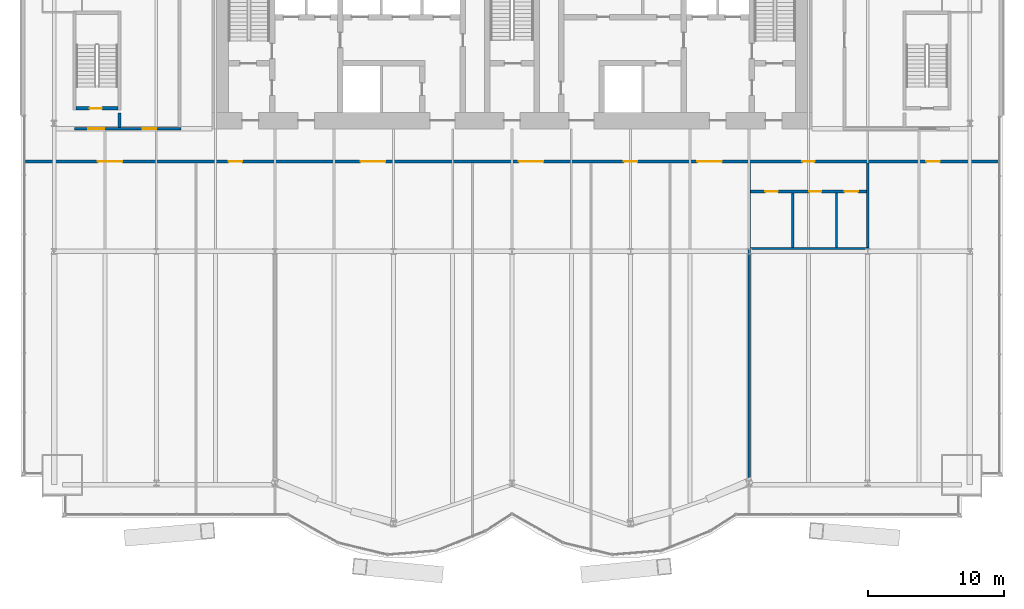
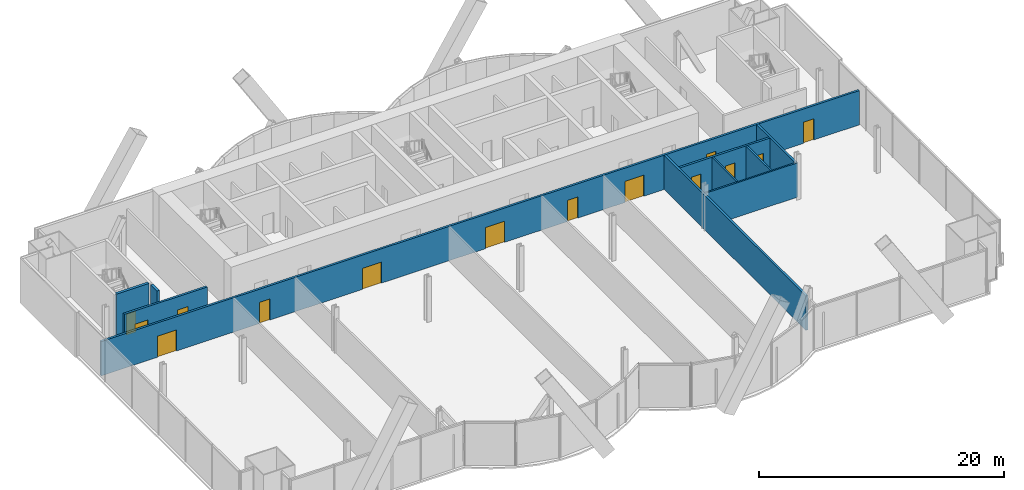
# One storey, part 16 of 23: 14 doors, 10 walls, 14 openings.
"""IFC4 building model written with IfcOpenShell, lengths in metres."""

from ifc_helpers import new_model, si_unit, direction, frame, frame_2d, origin, place, context, subcontext, project, spatial, rectangle, extrude, material, layer, layer_set, type_object, element, fill, save


model = new_model("IFC4")

# Units and contexts
model_context = context("Model", 3, precision=1e-05, world=origin(), true_north=direction((0.0, 1.0)))
body_context = subcontext(model_context, "Body", "Model", "MODEL_VIEW")
ifc_project = project(units=[si_unit("LENGTHUNIT", "METRE"), si_unit("AREAUNIT", "SQUARE_METRE"), si_unit("VOLUMEUNIT", "CUBIC_METRE"), si_unit("PLANEANGLEUNIT", "RADIAN"), si_unit("MASSUNIT", "GRAM", prefix="KILO")], contexts=[model_context])

# Site, building, storey
site_placement = place(None, origin())
site = spatial("IfcSite", under=ifc_project, at=site_placement, CompositionType="ELEMENT")
building_placement = place(site_placement, origin())
building = spatial("IfcBuilding", under=site, at=building_placement, Name="Bicima Exchange Tower", CompositionType="ELEMENT")
storey_placement = place(building_placement, frame((0.0, 0.0, 44.0)))
storey = spatial("IfcBuildingStorey", under=building, at=storey_placement, Name="L08", CompositionType="ELEMENT", Elevation=44.0)

# Wall, openings, doors
ifc_material_1 = material(Name="Gypsum board partition")
ifc_layer_1 = layer(ifc_material_1, 0.199951171875)
ifc_layer_set_1 = layer_set([ifc_layer_1], Name="Gypsum board partition")
wall_type_1 = type_object("IfcWallType", Name="Fire-rated gypsum partition 200 EI60", PredefinedType="PARTITIONING", material=ifc_layer_set_1)
wall_1_placement = place(storey_placement, frame((17.5, -17.60009765625, 0.0), z_axis=(0.0, 0.0, 1.0), x_axis=(1.0, 0.0, 0.0)))
wall_1 = element("IfcWall", 1, at=wall_1_placement, inside=storey, type_object=wall_type_1, Name="partition wall 2", PredefinedType="PARTITIONING", context=body_context, shape_type="SweptSolid", body=[
    extrude(rectangle(XDim=8.5, YDim=0.199951171875, at=frame_2d((4.25, 0.0))), origin(), (0.0, 0.0, 1.0), 3.418212890625),
])
opening_1_placement = place(wall_1_placement, frame((1.10009765625, 0.0, 0.0)))
opening_1 = element("IfcOpeningElement", 2, at=opening_1_placement, cuts=wall_1, Name="Opening L08-014", PredefinedType="OPENING", context=body_context, shape_type="SweptSolid", body=[
    extrude(rectangle(XDim=0.89990234375, YDim=2.10009765625, at=frame_2d((0.449951171875, 1.050048828125))), frame((0.0, 0.11181640625, 0.0), z_axis=(0.0, -1.0, 0.0), x_axis=(1.0, 0.0, 0.0)), (0.0, 0.0, 1.0), 0.223876953125),
])
opening_2_placement = place(wall_1_placement, frame((4.300048828125, 0.0, 0.0)))
opening_2 = element("IfcOpeningElement", 3, at=opening_2_placement, cuts=wall_1, Name="Opening L08-015", PredefinedType="OPENING", context=body_context, shape_type="SweptSolid", body=[
    extrude(rectangle(XDim=0.89990234375, YDim=2.10009765625, at=frame_2d((0.449951171875, 1.050048828125))), frame((0.0, 0.11181640625, 0.0), z_axis=(0.0, -1.0, 0.0), x_axis=(1.0, 0.0, 0.0)), (0.0, 0.0, 1.0), 0.223876953125),
])
opening_3_placement = place(wall_1_placement, frame((6.89990234375, 0.0, 0.0)))
opening_3 = element("IfcOpeningElement", 4, at=opening_3_placement, cuts=wall_1, Name="Opening L08-016", PredefinedType="OPENING", context=body_context, shape_type="SweptSolid", body=[
    extrude(rectangle(XDim=1.0, YDim=2.10009765625, at=frame_2d((0.5, 1.050048828125))), frame((0.0, 0.11181640625, 0.0), z_axis=(0.0, -1.0, 0.0), x_axis=(1.0, 0.0, 0.0)), (0.0, 0.0, 1.0), 0.223876953125),
])
ifc_material_2 = material(Name="Steel fire door leaf", Category="steel")
door_type_1 = type_object("IfcDoorType", Name="Door 1000 swing FD30S", OperationType="SINGLE_SWING_LEFT", PredefinedType="DOOR", material=ifc_material_2)
door_1_placement = place(opening_3_placement, frame((1.0, 0.0, 0.0), z_axis=(0.0, 0.0, 1.0), x_axis=(-1.0, 0.0, 0.0)))
door_1 = element("IfcDoor", 5, at=door_1_placement, inside=storey, type_object=door_type_1, Name="Door", OperationType="SINGLE_SWING_LEFT", OverallHeight=2.10009765625, OverallWidth=1.0, PredefinedType="DOOR", context=body_context, shape_type="SweptSolid", body=[
    extrude(rectangle(XDim=1.0, YDim=2.10009765625, at=frame_2d((0.5, 1.050048828125))), frame((0.0, 0.02490234375, 0.0), z_axis=(0.0, -1.0, 0.0), x_axis=(1.0, 0.0, 0.0)), (0.0, 0.0, 1.0), 0.050048828125),
])
fill(opening_3, door_1)
door_type_2 = type_object("IfcDoorType", Name="Door 900 swing FD30S", OperationType="SINGLE_SWING_LEFT", PredefinedType="DOOR", material=ifc_material_2)
door_2_placement = place(opening_1_placement, frame((0.89990234375, 0.0, 0.0), z_axis=(0.0, 0.0, 1.0), x_axis=(-1.0, 0.0, 0.0)))
door_2 = element("IfcDoor", 6, at=door_2_placement, inside=storey, type_object=door_type_2, Name="Door", OperationType="SINGLE_SWING_RIGHT", OverallHeight=2.10009765625, OverallWidth=0.89990234375, PredefinedType="DOOR", context=body_context, shape_type="SweptSolid", body=[
    extrude(rectangle(XDim=0.89990234375, YDim=2.10009765625, at=frame_2d((0.449951171875, 1.050048828125))), frame((0.0, 0.02490234375, 0.0), z_axis=(0.0, -1.0, 0.0), x_axis=(1.0, 0.0, 0.0)), (0.0, 0.0, 1.0), 0.050048828125),
])
fill(opening_1, door_2)
door_3_placement = place(opening_2_placement, frame((0.89990234375, 0.0, 0.0), z_axis=(0.0, 0.0, 1.0), x_axis=(-1.0, 0.0, 0.0)))
door_3 = element("IfcDoor", 7, at=door_3_placement, inside=storey, type_object=door_type_2, Name="Door", OperationType="SINGLE_SWING_RIGHT", OverallHeight=2.10009765625, OverallWidth=0.89990234375, PredefinedType="DOOR", context=body_context, shape_type="SweptSolid", body=[
    extrude(rectangle(XDim=0.89990234375, YDim=2.10009765625, at=frame_2d((0.449951171875, 1.050048828125))), frame((0.0, 0.02490234375, 0.0), z_axis=(0.0, -1.0, 0.0), x_axis=(1.0, 0.0, 0.0)), (0.0, 0.0, 1.0), 0.050048828125),
])
fill(opening_2, door_3)

wall_2_placement = place(storey_placement, frame((-35.679931640625, -15.39990234375, 0.0), z_axis=(0.0, 0.0, 1.0), x_axis=(1.0, 0.0, 0.0)))
wall_2 = element("IfcWall", 8, at=wall_2_placement, inside=storey, type_object=wall_type_1, Name="partition wall 3", PredefinedType="PARTITIONING", context=body_context, shape_type="SweptSolid", body=[
    extrude(rectangle(XDim=71.35986328125, YDim=0.199951171875, at=frame_2d((35.679931640625, 0.0))), origin(), (0.0, 0.0, 1.0), 3.418212890625),
])
opening_4_placement = place(wall_2_placement, frame((5.300048828125, 0.0, 0.0)))
opening_4 = element("IfcOpeningElement", 9, at=opening_4_placement, cuts=wall_2, Name="Opening L08-007", PredefinedType="OPENING", context=body_context, shape_type="SweptSolid", body=[
    extrude(rectangle(XDim=1.800048828125, YDim=2.10009765625, at=frame_2d((0.89990234375, 1.050048828125))), frame((0.0, 0.11181640625, 0.0), z_axis=(0.0, -1.0, 0.0), x_axis=(1.0, 0.0, 0.0)), (0.0, 0.0, 1.0), 0.223876953125),
])
opening_5_placement = place(wall_2_placement, frame((14.8798828125, 0.0, 0.0)))
opening_5 = element("IfcOpeningElement", 10, at=opening_5_placement, cuts=wall_2, Name="Opening L08-008", PredefinedType="OPENING", context=body_context, shape_type="SweptSolid", body=[
    extrude(rectangle(XDim=1.0, YDim=2.10009765625, at=frame_2d((0.5, 1.050048828125))), frame((0.0, 0.11181640625, 0.0), z_axis=(0.0, -1.0, 0.0), x_axis=(1.0, 0.0, 0.0)), (0.0, 0.0, 1.0), 0.223876953125),
])
opening_6_placement = place(wall_2_placement, frame((24.580078125, 0.0, 0.0)))
opening_6 = element("IfcOpeningElement", 11, at=opening_6_placement, cuts=wall_2, Name="Opening L08-009", PredefinedType="OPENING", context=body_context, shape_type="SweptSolid", body=[
    extrude(rectangle(XDim=1.800048828125, YDim=2.10009765625, at=frame_2d((0.89990234375, 1.050048828125))), frame((0.0, 0.11181640625, 0.0), z_axis=(0.0, -1.0, 0.0), x_axis=(1.0, 0.0, 0.0)), (0.0, 0.0, 1.0), 0.223876953125),
])
opening_7_placement = place(wall_2_placement, frame((36.179931640625, 0.0, 0.0)))
opening_7 = element("IfcOpeningElement", 12, at=opening_7_placement, cuts=wall_2, Name="Opening L08-010", PredefinedType="OPENING", context=body_context, shape_type="SweptSolid", body=[
    extrude(rectangle(XDim=1.800048828125, YDim=2.10009765625, at=frame_2d((0.89990234375, 1.050048828125))), frame((0.0, 0.11181640625, 0.0), z_axis=(0.0, -1.0, 0.0), x_axis=(1.0, 0.0, 0.0)), (0.0, 0.0, 1.0), 0.223876953125),
])
opening_8_placement = place(wall_2_placement, frame((43.8798828125, 0.0, 0.0)))
opening_8 = element("IfcOpeningElement", 13, at=opening_8_placement, cuts=wall_2, Name="Opening L08-011", PredefinedType="OPENING", context=body_context, shape_type="SweptSolid", body=[
    extrude(rectangle(XDim=1.0, YDim=2.10009765625, at=frame_2d((0.5, 1.050048828125))), frame((0.0, 0.11181640625, 0.0), z_axis=(0.0, -1.0, 0.0), x_axis=(1.0, 0.0, 0.0)), (0.0, 0.0, 1.0), 0.223876953125),
])
opening_9_placement = place(wall_2_placement, frame((49.280029296875, 0.0, 0.0)))
opening_9 = element("IfcOpeningElement", 14, at=opening_9_placement, cuts=wall_2, Name="Opening L08-012", PredefinedType="OPENING", context=body_context, shape_type="SweptSolid", body=[
    extrude(rectangle(XDim=1.800048828125, YDim=2.10009765625, at=frame_2d((0.89990234375, 1.050048828125))), frame((0.0, 0.11181640625, 0.0), z_axis=(0.0, -1.0, 0.0), x_axis=(1.0, 0.0, 0.0)), (0.0, 0.0, 1.0), 0.223876953125),
])
opening_10_placement = place(wall_2_placement, frame((56.97998046875, 0.0, 0.0)))
opening_10 = element("IfcOpeningElement", 15, at=opening_10_placement, cuts=wall_2, Name="Opening L08-013", PredefinedType="OPENING", context=body_context, shape_type="SweptSolid", body=[
    extrude(rectangle(XDim=0.89990234375, YDim=2.10009765625, at=frame_2d((0.449951171875, 1.050048828125))), frame((0.0, 0.11181640625, 0.0), z_axis=(0.0, -1.0, 0.0), x_axis=(1.0, 0.0, 0.0)), (0.0, 0.0, 1.0), 0.223876953125),
])
opening_11_placement = place(wall_2_placement, frame((66.080078125, 0.0, 0.0)))
opening_11 = element("IfcOpeningElement", 16, at=opening_11_placement, cuts=wall_2, Name="Opening L08-017", PredefinedType="OPENING", context=body_context, shape_type="SweptSolid", body=[
    extrude(rectangle(XDim=1.0, YDim=2.10009765625, at=frame_2d((0.5, 1.050048828125))), frame((0.0, 0.11181640625, 0.0), z_axis=(0.0, -1.0, 0.0), x_axis=(1.0, 0.0, 0.0)), (0.0, 0.0, 1.0), 0.223876953125),
])
door_4_placement = place(opening_5_placement, frame((1.0, 0.0, 0.0), z_axis=(0.0, 0.0, 1.0), x_axis=(-1.0, 0.0, 0.0)))
door_4 = element("IfcDoor", 17, at=door_4_placement, inside=storey, type_object=door_type_1, Name="Door", OperationType="SINGLE_SWING_RIGHT", OverallHeight=2.10009765625, OverallWidth=1.0, PredefinedType="DOOR", context=body_context, shape_type="SweptSolid", body=[
    extrude(rectangle(XDim=1.0, YDim=2.10009765625, at=frame_2d((0.5, 1.050048828125))), frame((0.0, 0.02490234375, 0.0), z_axis=(0.0, -1.0, 0.0), x_axis=(1.0, 0.0, 0.0)), (0.0, 0.0, 1.0), 0.050048828125),
])
fill(opening_5, door_4)
door_5_placement = place(opening_8_placement, frame((1.0, 0.0, 0.0), z_axis=(0.0, 0.0, 1.0), x_axis=(-1.0, 0.0, 0.0)))
door_5 = element("IfcDoor", 18, at=door_5_placement, inside=storey, type_object=door_type_1, Name="Door", OperationType="SINGLE_SWING_RIGHT", OverallHeight=2.10009765625, OverallWidth=1.0, PredefinedType="DOOR", context=body_context, shape_type="SweptSolid", body=[
    extrude(rectangle(XDim=1.0, YDim=2.10009765625, at=frame_2d((0.5, 1.050048828125))), frame((0.0, 0.02490234375, 0.0), z_axis=(0.0, -1.0, 0.0), x_axis=(1.0, 0.0, 0.0)), (0.0, 0.0, 1.0), 0.050048828125),
])
fill(opening_8, door_5)
door_6_placement = place(opening_11_placement, frame((1.0, 0.0, 0.0), z_axis=(0.0, 0.0, 1.0), x_axis=(-1.0, 0.0, 0.0)))
door_6 = element("IfcDoor", 19, at=door_6_placement, inside=storey, type_object=door_type_1, Name="Door", OperationType="SINGLE_SWING_RIGHT", OverallHeight=2.10009765625, OverallWidth=1.0, PredefinedType="DOOR", context=body_context, shape_type="SweptSolid", body=[
    extrude(rectangle(XDim=1.0, YDim=2.10009765625, at=frame_2d((0.5, 1.050048828125))), frame((0.0, 0.02490234375, 0.0), z_axis=(0.0, -1.0, 0.0), x_axis=(1.0, 0.0, 0.0)), (0.0, 0.0, 1.0), 0.050048828125),
])
fill(opening_11, door_6)
door_type_3 = type_object("IfcDoorType", Name="Door 1800 double swing FD30S", OperationType="DOUBLE_DOOR_SINGLE_SWING", PredefinedType="DOOR", material=ifc_material_2)
door_7_placement = place(opening_4_placement, origin())
door_7 = element("IfcDoor", 20, at=door_7_placement, inside=storey, type_object=door_type_3, Name="Door", OperationType="SINGLE_SWING_LEFT", OverallHeight=2.10009765625, OverallWidth=1.800048828125, PredefinedType="DOOR", context=body_context, shape_type="SweptSolid", body=[
    extrude(rectangle(XDim=1.800048828125, YDim=2.10009765625, at=frame_2d((0.89990234375, 1.050048828125))), frame((0.0, 0.02490234375, 0.0), z_axis=(0.0, -1.0, 0.0), x_axis=(1.0, 0.0, 0.0)), (0.0, 0.0, 1.0), 0.050048828125),
])
fill(opening_4, door_7)
door_8_placement = place(opening_6_placement, origin())
door_8 = element("IfcDoor", 21, at=door_8_placement, inside=storey, type_object=door_type_3, Name="Door", OperationType="SINGLE_SWING_LEFT", OverallHeight=2.10009765625, OverallWidth=1.800048828125, PredefinedType="DOOR", context=body_context, shape_type="SweptSolid", body=[
    extrude(rectangle(XDim=1.800048828125, YDim=2.10009765625, at=frame_2d((0.89990234375, 1.050048828125))), frame((0.0, 0.02490234375, 0.0), z_axis=(0.0, -1.0, 0.0), x_axis=(1.0, 0.0, 0.0)), (0.0, 0.0, 1.0), 0.050048828125),
])
fill(opening_6, door_8)
door_9_placement = place(opening_7_placement, origin())
door_9 = element("IfcDoor", 22, at=door_9_placement, inside=storey, type_object=door_type_3, Name="Door", OperationType="SINGLE_SWING_LEFT", OverallHeight=2.10009765625, OverallWidth=1.800048828125, PredefinedType="DOOR", context=body_context, shape_type="SweptSolid", body=[
    extrude(rectangle(XDim=1.800048828125, YDim=2.10009765625, at=frame_2d((0.89990234375, 1.050048828125))), frame((0.0, 0.02490234375, 0.0), z_axis=(0.0, -1.0, 0.0), x_axis=(1.0, 0.0, 0.0)), (0.0, 0.0, 1.0), 0.050048828125),
])
fill(opening_7, door_9)
door_10_placement = place(opening_9_placement, origin())
door_10 = element("IfcDoor", 23, at=door_10_placement, inside=storey, type_object=door_type_3, Name="Door", OperationType="SINGLE_SWING_LEFT", OverallHeight=2.10009765625, OverallWidth=1.800048828125, PredefinedType="DOOR", context=body_context, shape_type="SweptSolid", body=[
    extrude(rectangle(XDim=1.800048828125, YDim=2.10009765625, at=frame_2d((0.89990234375, 1.050048828125))), frame((0.0, 0.02490234375, 0.0), z_axis=(0.0, -1.0, 0.0), x_axis=(1.0, 0.0, 0.0)), (0.0, 0.0, 1.0), 0.050048828125),
])
fill(opening_9, door_10)
door_11_placement = place(opening_10_placement, frame((0.89990234375, 0.0, 0.0), z_axis=(0.0, 0.0, 1.0), x_axis=(-1.0, 0.0, 0.0)))
door_11 = element("IfcDoor", 24, at=door_11_placement, inside=storey, type_object=door_type_2, Name="Door", OperationType="SINGLE_SWING_LEFT", OverallHeight=2.10009765625, OverallWidth=0.89990234375, PredefinedType="DOOR", context=body_context, shape_type="SweptSolid", body=[
    extrude(rectangle(XDim=0.89990234375, YDim=2.10009765625, at=frame_2d((0.449951171875, 1.050048828125))), frame((0.0, 0.02490234375, 0.0), z_axis=(0.0, -1.0, 0.0), x_axis=(1.0, 0.0, 0.0)), (0.0, 0.0, 1.0), 0.050048828125),
])
fill(opening_10, door_11)

wall_3_placement = place(storey_placement, frame((-32.10009765625, -13.0, 0.0), z_axis=(0.0, 0.0, 1.0), x_axis=(1.0, 0.0, 0.0)))
wall_3 = element("IfcWall", 25, at=wall_3_placement, inside=storey, type_object=wall_type_1, Name="partition wall 4", PredefinedType="PARTITIONING", context=body_context, shape_type="SweptSolid", body=[
    extrude(rectangle(XDim=7.800048828125, YDim=0.199951171875, at=frame_2d((3.89990234375, 0.0))), origin(), (0.0, 0.0, 1.0), 3.418212890625),
])
opening_12_placement = place(wall_3_placement, frame((1.0, 0.0, 0.0)))
opening_12 = element("IfcOpeningElement", 26, at=opening_12_placement, cuts=wall_3, Name="Opening L08-001", PredefinedType="OPENING", context=body_context, shape_type="SweptSolid", body=[
    extrude(rectangle(XDim=1.199951171875, YDim=2.10009765625, at=frame_2d((0.60009765625, 1.050048828125))), frame((0.0, 0.11181640625, 0.0), z_axis=(0.0, -1.0, 0.0), x_axis=(1.0, 0.0, 0.0)), (0.0, 0.0, 1.0), 0.223876953125),
])
opening_13_placement = place(wall_3_placement, frame((5.0, 0.0, 0.0)))
opening_13 = element("IfcOpeningElement", 27, at=opening_13_placement, cuts=wall_3, Name="Opening L08-005", PredefinedType="OPENING", context=body_context, shape_type="SweptSolid", body=[
    extrude(rectangle(XDim=1.0, YDim=2.10009765625, at=frame_2d((0.5, 1.050048828125))), frame((0.0, 0.11181640625, 0.0), z_axis=(0.0, -1.0, 0.0), x_axis=(1.0, 0.0, 0.0)), (0.0, 0.0, 1.0), 0.223876953125),
])
door_12_placement = place(opening_13_placement, origin())
door_12 = element("IfcDoor", 28, at=door_12_placement, inside=storey, type_object=door_type_1, Name="Door", OperationType="SINGLE_SWING_LEFT", OverallHeight=2.10009765625, OverallWidth=1.0, PredefinedType="DOOR", context=body_context, shape_type="SweptSolid", body=[
    extrude(rectangle(XDim=1.0, YDim=2.10009765625, at=frame_2d((0.5, 1.050048828125))), frame((0.0, 0.02490234375, 0.0), z_axis=(0.0, -1.0, 0.0), x_axis=(1.0, 0.0, 0.0)), (0.0, 0.0, 1.0), 0.050048828125),
])
fill(opening_13, door_12)
door_type_4 = type_object("IfcDoorType", Name="Door 1200 swing FD30S", OperationType="SINGLE_SWING_LEFT", PredefinedType="DOOR", material=ifc_material_2)
door_13_placement = place(opening_12_placement, origin())
door_13 = element("IfcDoor", 29, at=door_13_placement, inside=storey, type_object=door_type_4, Name="Door", OperationType="SINGLE_SWING_LEFT", OverallHeight=2.10009765625, OverallWidth=1.199951171875, PredefinedType="DOOR", context=body_context, shape_type="SweptSolid", body=[
    extrude(rectangle(XDim=1.199951171875, YDim=2.10009765625, at=frame_2d((0.60009765625, 1.050048828125))), frame((0.0, 0.02490234375, 0.0), z_axis=(0.0, -1.0, 0.0), x_axis=(1.0, 0.0, 0.0)), (0.0, 0.0, 1.0), 0.050048828125),
])
fill(opening_12, door_13)

# Walls
wall_4_placement = place(storey_placement, frame((17.39990234375, -38.622314453125, 0.0), z_axis=(0.0, 0.0, 1.0), x_axis=(0.0, 1.0, 0.0)))
element("IfcWall", 30, at=wall_4_placement, inside=storey, type_object=wall_type_1, Name="partition wall 23", PredefinedType="PARTITIONING", context=body_context, shape_type="SweptSolid", body=[
    extrude(rectangle(XDim=23.122314453125, YDim=0.199951171875, at=frame_2d((11.56103515625, 0.0))), origin(), (0.0, 0.0, 1.0), 3.418212890625),
])
wall_5_placement = place(storey_placement, frame((26.10009765625, -21.72509765625, 0.0), z_axis=(0.0, 0.0, 1.0), x_axis=(0.0, 1.0, 0.0)))
element("IfcWall", 31, at=wall_5_placement, inside=storey, type_object=wall_type_1, Name="partition wall 27", PredefinedType="PARTITIONING", context=body_context, shape_type="SweptSolid", body=[
    extrude(rectangle(XDim=6.22509765625, YDim=0.199951171875, at=frame_2d((3.112548828125, 0.0))), origin(), (0.0, 0.0, 1.0), 3.418212890625),
])
ifc_layer_2 = layer(ifc_material_1, 0.14990234375)
ifc_layer_set_2 = layer_set([ifc_layer_2], Name="Gypsum board partition")
wall_type_2 = type_object("IfcWallType", Name="Gypsum partition 150", PredefinedType="PARTITIONING", material=ifc_layer_set_2)
wall_6_placement = place(storey_placement, frame((17.5, -21.800048828125, 0.0), z_axis=(0.0, 0.0, 1.0), x_axis=(1.0, 0.0, 0.0)))
element("IfcWall", 32, at=wall_6_placement, inside=storey, type_object=wall_type_2, Name="partition wall 1", PredefinedType="PARTITIONING", context=body_context, shape_type="SweptSolid", body=[
    extrude(rectangle(XDim=8.699951171875, YDim=0.14990234375, at=frame_2d((4.35009765625, 0.0))), origin(), (0.0, 0.0, 1.0), 3.418212890625),
])
for number, where, z_axis, x_axis, name in (
    (33, (20.60009765625, -21.72509765625, 0.0), (0.0, 0.0, 1.0), (0.0, 1.0, 0.0), "partition wall 24"),
    (34, (23.800048828125, -21.72509765625, 0.0), (0.0, 0.0, 1.0), (0.0, 1.0, 0.0), "partition wall 25"),
):
    element("IfcWall", number, at=place(storey_placement, frame(where, z_axis=z_axis, x_axis=x_axis)), inside=storey, type_object=wall_type_2, Name=name, PredefinedType="PARTITIONING", context=body_context, shape_type="SweptSolid", body=[
        extrude(rectangle(XDim=4.025146484375, YDim=0.14990234375, at=frame_2d((2.0126953125, 0.0))), origin(), (0.0, 0.0, 1.0), 3.418212890625),
    ])
ifc_material_3 = material(Name="Concrete C50/60", Category="concrete")
ifc_layer_3 = layer(ifc_material_3, 0.25)
ifc_layer_set_3 = layer_set([ifc_layer_3], Name="Concrete C50/60")
wall_type_3 = type_object("IfcWallType", Name="RC core wall 250 C50/60", PredefinedType="SHEAR", material=ifc_layer_set_3)
wall_7_placement = place(storey_placement, frame((-28.800048828125, -12.89990234375, 0.0), z_axis=(0.0, 0.0, 1.0), x_axis=(0.0, 1.0, 0.0)))
element("IfcWall", 35, at=wall_7_placement, inside=storey, type_object=wall_type_3, Name="stair wall 13", PredefinedType="SHEAR", context=body_context, shape_type="SweptSolid", body=[
    extrude(rectangle(XDim=1.0498046875, YDim=0.25, at=frame_2d((0.52490234375, 0.0))), origin(), (0.0, 0.0, 1.0), 4.5),
])

# Wall, opening, door
ifc_layer_4 = layer(ifc_material_3, 0.25)
ifc_layer_set_4 = layer_set([ifc_layer_4], Name="Concrete C50/60")
wall_type_4 = type_object("IfcWallType", Name="RC stair enclosure wall 250 C50/60", PredefinedType="SHEAR", material=ifc_layer_set_4)
wall_8_placement = place(storey_placement, frame((-31.97509765625, -11.5, 0.0), z_axis=(0.0, 0.0, 1.0), x_axis=(1.0, 0.0, 0.0)))
wall_8 = element("IfcWall", 36, at=wall_8_placement, inside=storey, type_object=wall_type_4, Name="West end exit stair wall S", PredefinedType="SHEAR", context=body_context, shape_type="SweptSolid", body=[
    extrude(rectangle(XDim=3.050048828125, YDim=0.25, at=frame_2d((1.52490234375, 0.0))), origin(), (0.0, 0.0, 1.0), 4.5),
])
opening_14_placement = place(wall_8_placement, frame((0.97509765625, 0.0, 0.0)))
opening_14 = element("IfcOpeningElement", 37, at=opening_14_placement, cuts=wall_8, Name="Opening L08-002", PredefinedType="OPENING", context=body_context, shape_type="SweptSolid", body=[
    extrude(rectangle(XDim=0.89990234375, YDim=2.10009765625, at=frame_2d((0.449951171875, 1.050048828125))), frame((0.0, 0.136962890625, 0.0), z_axis=(0.0, -1.0, 0.0), x_axis=(1.0, 0.0, 0.0)), (0.0, 0.0, 1.0), 0.27392578125),
])
door_type_5 = type_object("IfcDoorType", Name="Door 900 swing FD60S", OperationType="SINGLE_SWING_LEFT", PredefinedType="DOOR", material=ifc_material_2)
door_14_placement = place(opening_14_placement, origin())
door_14 = element("IfcDoor", 38, at=door_14_placement, inside=storey, type_object=door_type_5, Name="Door", OperationType="SINGLE_SWING_LEFT", OverallHeight=2.10009765625, OverallWidth=0.89990234375, PredefinedType="DOOR", context=body_context, shape_type="SweptSolid", body=[
    extrude(rectangle(XDim=0.89990234375, YDim=2.10009765625, at=frame_2d((0.449951171875, 1.050048828125))), frame((0.0, 0.02490234375, 0.0), z_axis=(0.0, -1.0, 0.0), x_axis=(1.0, 0.0, 0.0)), (0.0, 0.0, 1.0), 0.050048828125),
])
fill(opening_14, door_14)

save(model, "model.ifc")
